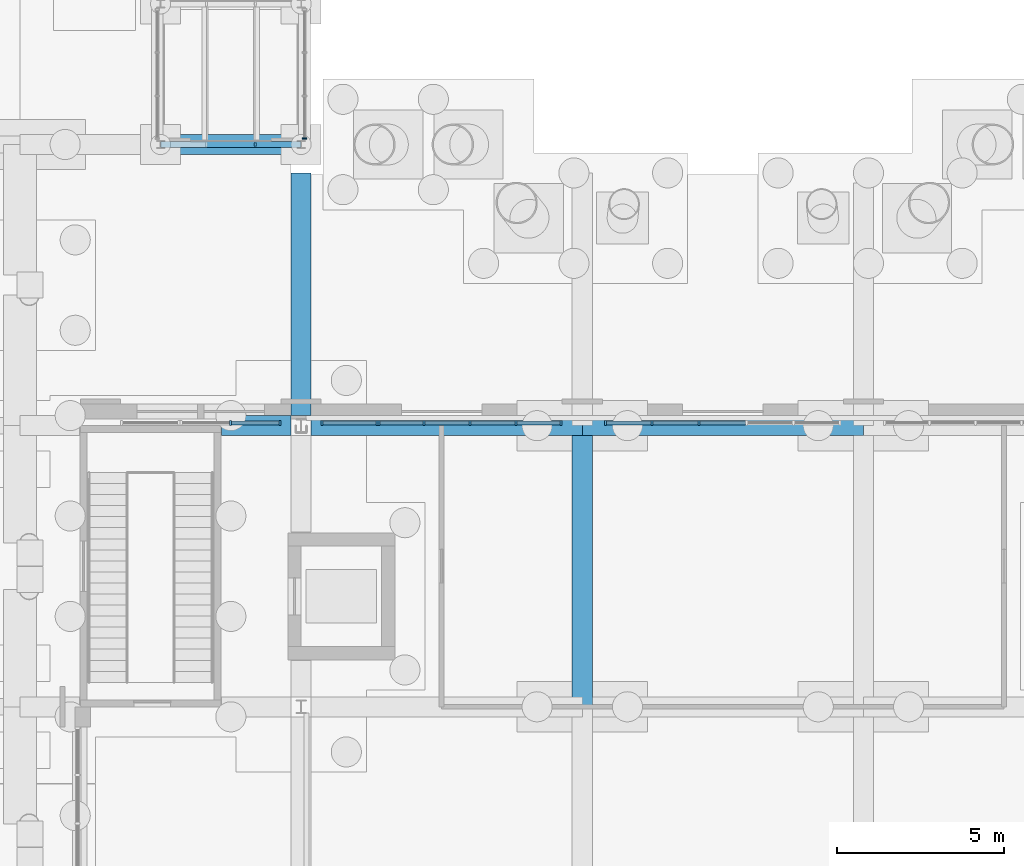
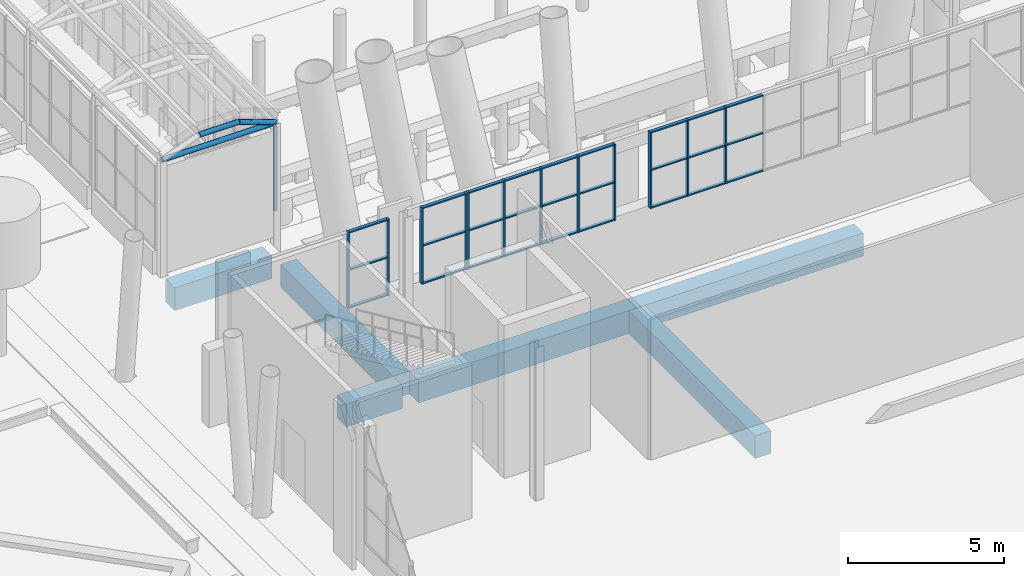
# One storey, part 54 of 222: 41 members, 8 beams, 5 elements without a shape of their own.
"""IFC4 building model written with IfcOpenShell, lengths in metres."""

from ifc_helpers import new_model, si_unit, direction, frame, origin, origin_2d, place, context, subcontext, project, spatial, rectangle, hollow_circle, extrude, material, material_profile, profile_set, type_object, element, aggregate, save


model = new_model("IFC4")

# Units and contexts
model_context = context("Model", 3, precision=1e-05, world=origin(), true_north=direction((0.0, 1.0)))
body_context = subcontext(model_context, "Body", "Model", "MODEL_VIEW")
ifc_project = project(units=[si_unit("LENGTHUNIT", "METRE"), si_unit("AREAUNIT", "SQUARE_METRE"), si_unit("VOLUMEUNIT", "CUBIC_METRE"), si_unit("PLANEANGLEUNIT", "RADIAN"), si_unit("MASSUNIT", "GRAM", prefix="KILO")], contexts=[model_context])

# Site, building, storey
site_placement = place(None, origin())
site = spatial("IfcSite", under=ifc_project, at=site_placement, CompositionType="ELEMENT")
building_placement = place(site_placement, origin())
building = spatial("IfcBuilding", under=site, at=building_placement, Name="Sava Quay Ferry Terminal", CompositionType="ELEMENT")
storey_placement = place(building_placement, origin())
storey = spatial("IfcBuildingStorey", under=building, at=storey_placement, Name="L00", CompositionType="ELEMENT", Elevation=0.0)

# Beams
ifc_material_1 = material(Name="Steel S355", Category="steel")
ifc_material_profile_1 = material_profile(ifc_material_1, hollow_circle(Radius=0.096923828125, WallThickness=0.008056640625, at=origin_2d()), Name="CHS 193.7 x 8.0")
ifc_profile_set_1 = profile_set([ifc_material_profile_1], Name="Steel S355")
beam_type_1 = type_object("IfcBeamType", Name="Gallery rib CHS 193.7x8", PredefinedType="BEAM", material=ifc_profile_set_1)
beam_1_placement = place(storey_placement, frame((47.570556640625, 109.199951171875, 4.998779296875), z_axis=(1.0, 0.0, 0.0), x_axis=(0.0, 1.0, 0.0)))
element("IfcBeam", 1, at=beam_1_placement, inside=storey, type_object=beam_type_1, Name="Boarding gallery B1 arch rib R0 seg 2", PredefinedType="BEAM", context=body_context, shape_type="SweptSolid", body=[
    extrude(hollow_circle(Radius=0.096923828125, WallThickness=0.008056640625, at=origin_2d()), origin(), (0.0, 0.0, 1.0), 1.458740234375),
])
beam_2_placement = place(storey_placement, frame((49.029296875, 109.199951171875, 4.998779296875), z_axis=(0.939710313144, 0.0, -0.341971530059), x_axis=(0.0, 1.0, 0.0)))
element("IfcBeam", 2, at=beam_2_placement, inside=storey, type_object=beam_type_1, Name="Boarding gallery B1 arch rib R0 seg 3", PredefinedType="BEAM", context=body_context, shape_type="SweptSolid", body=[
    extrude(hollow_circle(Radius=0.096923828125, WallThickness=0.008056640625, at=origin_2d()), origin(), (0.0, 0.0, 1.0), 1.45849609375),
])

# Member
ifc_material_2 = material(Name="Steel S355", Category="steel")
ifc_material_profile_2 = material_profile(ifc_material_2, hollow_circle(Radius=0.096923828125, WallThickness=0.008056640625, at=origin_2d()), Name="CHS 193.7 x 8.0")
ifc_profile_set_2 = profile_set([ifc_material_profile_2], Name="Steel S355")
member_type_1 = type_object("IfcMemberType", Name="Gallery tie CHS 193.7x8", PredefinedType="USERDEFINED", material=ifc_profile_set_2)
member_1_placement = place(storey_placement, frame((46.199951171875, 109.199951171875, 4.5), z_axis=(1.0, 0.0, 0.0), x_axis=(0.0, 1.0, 0.0)))
element("IfcMember", 3, at=member_1_placement, inside=storey, type_object=member_type_1, Name="Boarding gallery B1 arch tie R0", ObjectType="ARCH TIE", PredefinedType="USERDEFINED", context=body_context, shape_type="SweptSolid", body=[
    extrude(hollow_circle(Radius=0.096923828125, WallThickness=0.008056640625, at=origin_2d()), origin(), (0.0, 0.0, 1.0), 4.199951171875),
])

# Curtain wall, member
ifc_material_3 = material(Name="Aluminium and glass curtain wall, double glazed", Category="aluminium")
curtain_wall_type_1 = type_object("IfcCurtainWallType", Name="Curtain wall CW-B gallery", PredefinedType="NOTDEFINED", material=ifc_material_3)
curtain_wall_1_placement = place(storey_placement, origin())
curtain_wall_1 = element("IfcCurtainWall", 4, at=curtain_wall_1_placement, inside=storey, type_object=curtain_wall_type_1, Name="Curtain wall B1-E L00 bay 1", PredefinedType="NOTDEFINED")
ifc_material_4 = material(Name="Aluminium EN AW-6063 T6", Category="aluminium")
ifc_material_profile_3 = material_profile(ifc_material_4, rectangle(XDim=0.1201171875, YDim=0.050048828125, at=origin_2d()), Name="Mullion 50x120 aluminium")
ifc_profile_set_3 = profile_set([ifc_material_profile_3], Name="Aluminium EN AW-6063 T6")
member_type_2 = type_object("IfcMemberType", Name="Mullion 50x120 aluminium", PredefinedType="MULLION", material=ifc_profile_set_3)
member_2_placement = place(storey_placement, frame((50.5, 109.375, 0.89990234375), z_axis=(0.0, 0.0, 1.0), x_axis=(-1.0, 0.0, 0.0)))
member_2 = element("IfcMember", 5, at=member_2_placement, type_object=member_type_2, Name="CW1 mullion 1", PredefinedType="MULLION", context=body_context, shape_type="SweptSolid", body=[
    extrude(rectangle(XDim=0.1201171875, YDim=0.050048828125, at=origin_2d()), origin(), (0.0, 0.0, 1.0), 3.300048828125),
])
aggregate(curtain_wall_1, [member_2])

# Curtain wall, members
ifc_material_5 = material(Name="Aluminium and glass curtain wall, double low-e glazed", Category="aluminium")
curtain_wall_type_2 = type_object("IfcCurtainWallType", Name="Curtain wall CW-G gable", PredefinedType="NOTDEFINED", material=ifc_material_5)
curtain_wall_2_placement = place(storey_placement, origin())
curtain_wall_2 = element("IfcCurtainWall", 6, at=curtain_wall_2_placement, inside=storey, type_object=curtain_wall_type_2, Name="Curtain wall D-N L00 bay 11", PredefinedType="NOTDEFINED")
ifc_material_6 = material(Name="Aluminium EN AW-6063 T6", Category="aluminium")
ifc_material_profile_4 = material_profile(ifc_material_6, rectangle(XDim=0.14990234375, YDim=0.06005859375, at=origin_2d()), Name="Mullion 60x150 aluminium")
ifc_profile_set_4 = profile_set([ifc_material_profile_4], Name="Aluminium EN AW-6063 T6")
member_type_3 = type_object("IfcMemberType", Name="Mullion 60x150 aluminium", PredefinedType="MULLION", material=ifc_profile_set_4)
member_3_placement = place(storey_placement, frame((48.2900390625, 100.885009765625, 3.0), z_axis=(0.0, 0.0, 1.0), x_axis=(0.0, 1.0, 0.0)))
member_3 = element("IfcMember", 7, at=member_3_placement, type_object=member_type_3, Name="CW57 mullion 2", PredefinedType="MULLION", context=body_context, shape_type="SweptSolid", body=[
    extrude(rectangle(XDim=0.14990234375, YDim=0.06005859375, at=origin_2d()), origin(), (0.0, 0.0, 1.0), 3.0),
])
member_4_placement = place(storey_placement, frame((49.77001953125, 100.885009765625, 3.0), z_axis=(0.0, 0.0, 1.0), x_axis=(0.0, 1.0, 0.0)))
member_4 = element("IfcMember", 8, at=member_4_placement, type_object=member_type_3, Name="CW57 mullion 3", PredefinedType="MULLION", context=body_context, shape_type="SweptSolid", body=[
    extrude(rectangle(XDim=0.14990234375, YDim=0.06005859375, at=origin_2d()), origin(), (0.0, 0.0, 1.0), 3.0),
])

curtain_wall_3_placement = place(storey_placement, origin())
curtain_wall_3 = element("IfcCurtainWall", 9, at=curtain_wall_3_placement, inside=storey, type_object=curtain_wall_type_2, Name="Curtain wall D-N L00 bay 12", PredefinedType="NOTDEFINED")
member_5_placement = place(storey_placement, frame((51.030029296875, 100.885009765625, 3.0), z_axis=(0.0, 0.0, 1.0), x_axis=(0.0, 1.0, 0.0)))
member_5 = element("IfcMember", 10, at=member_5_placement, type_object=member_type_3, Name="CW61 mullion 1", PredefinedType="MULLION", context=body_context, shape_type="SweptSolid", body=[
    extrude(rectangle(XDim=0.14990234375, YDim=0.06005859375, at=origin_2d()), origin(), (0.0, 0.0, 1.0), 3.0),
])
member_6_placement = place(storey_placement, frame((52.669921875, 100.885009765625, 3.0), z_axis=(0.0, 0.0, 1.0), x_axis=(0.0, 1.0, 0.0)))
member_6 = element("IfcMember", 11, at=member_6_placement, type_object=member_type_3, Name="CW61 mullion 2", PredefinedType="MULLION", context=body_context, shape_type="SweptSolid", body=[
    extrude(rectangle(XDim=0.14990234375, YDim=0.06005859375, at=origin_2d()), origin(), (0.0, 0.0, 1.0), 3.0),
])

curtain_wall_4_placement = place(storey_placement, origin())
curtain_wall_4 = element("IfcCurtainWall", 12, at=curtain_wall_4_placement, inside=storey, type_object=curtain_wall_type_2, Name="Curtain wall D-N L00 bay 21", PredefinedType="NOTDEFINED")
member_7_placement = place(storey_placement, frame((52.72998046875, 100.885009765625, 3.0), z_axis=(0.0, 0.0, 1.0), x_axis=(0.0, 1.0, 0.0)))
member_7 = element("IfcMember", 13, at=member_7_placement, type_object=member_type_3, Name="CW65 mullion 1", PredefinedType="MULLION", context=body_context, shape_type="SweptSolid", body=[
    extrude(rectangle(XDim=0.14990234375, YDim=0.06005859375, at=origin_2d()), origin(), (0.0, 0.0, 1.0), 3.0),
])
member_8_placement = place(storey_placement, frame((54.074951171875, 100.885009765625, 3.0), z_axis=(0.0, 0.0, 1.0), x_axis=(0.0, 1.0, 0.0)))
member_8 = element("IfcMember", 14, at=member_8_placement, type_object=member_type_3, Name="CW65 mullion 2", PredefinedType="MULLION", context=body_context, shape_type="SweptSolid", body=[
    extrude(rectangle(XDim=0.14990234375, YDim=0.06005859375, at=origin_2d()), origin(), (0.0, 0.0, 1.0), 3.0),
])
member_9_placement = place(storey_placement, frame((55.449951171875, 100.885009765625, 3.0), z_axis=(0.0, 0.0, 1.0), x_axis=(0.0, 1.0, 0.0)))
member_9 = element("IfcMember", 15, at=member_9_placement, type_object=member_type_3, Name="CW65 mullion 3", PredefinedType="MULLION", context=body_context, shape_type="SweptSolid", body=[
    extrude(rectangle(XDim=0.14990234375, YDim=0.06005859375, at=origin_2d()), origin(), (0.0, 0.0, 1.0), 3.0),
])
member_10_placement = place(storey_placement, frame((56.824951171875, 100.885009765625, 3.0), z_axis=(0.0, 0.0, 1.0), x_axis=(0.0, 1.0, 0.0)))
member_10 = element("IfcMember", 16, at=member_10_placement, type_object=member_type_3, Name="CW65 mullion 4", PredefinedType="MULLION", context=body_context, shape_type="SweptSolid", body=[
    extrude(rectangle(XDim=0.14990234375, YDim=0.06005859375, at=origin_2d()), origin(), (0.0, 0.0, 1.0), 3.0),
])
member_11_placement = place(storey_placement, frame((58.169921875, 100.885009765625, 3.0), z_axis=(0.0, 0.0, 1.0), x_axis=(0.0, 1.0, 0.0)))
member_11 = element("IfcMember", 17, at=member_11_placement, type_object=member_type_3, Name="CW65 mullion 5", PredefinedType="MULLION", context=body_context, shape_type="SweptSolid", body=[
    extrude(rectangle(XDim=0.14990234375, YDim=0.06005859375, at=origin_2d()), origin(), (0.0, 0.0, 1.0), 3.0),
])

curtain_wall_5_placement = place(storey_placement, origin())
curtain_wall_5 = element("IfcCurtainWall", 18, at=curtain_wall_5_placement, inside=storey, type_object=curtain_wall_type_2, Name="Curtain wall D-N L00 bay 31", PredefinedType="NOTDEFINED")
member_12_placement = place(storey_placement, frame((59.5, 100.885009765625, 3.0), z_axis=(0.0, 0.0, 1.0), x_axis=(0.0, 1.0, 0.0)))
member_12 = element("IfcMember", 19, at=member_12_placement, type_object=member_type_3, Name="CW69 mullion 1", PredefinedType="MULLION", context=body_context, shape_type="SweptSolid", body=[
    extrude(rectangle(XDim=0.14990234375, YDim=0.06005859375, at=origin_2d()), origin(), (0.0, 0.0, 1.0), 3.0),
])
member_13_placement = place(storey_placement, frame((60.882080078125, 100.885009765625, 3.0), z_axis=(0.0, 0.0, 1.0), x_axis=(0.0, 1.0, 0.0)))
member_13 = element("IfcMember", 20, at=member_13_placement, type_object=member_type_3, Name="CW69 mullion 2", PredefinedType="MULLION", context=body_context, shape_type="SweptSolid", body=[
    extrude(rectangle(XDim=0.14990234375, YDim=0.06005859375, at=origin_2d()), origin(), (0.0, 0.0, 1.0), 3.0),
])
member_14_placement = place(storey_placement, frame((62.2939453125, 100.885009765625, 3.0), z_axis=(0.0, 0.0, 1.0), x_axis=(0.0, 1.0, 0.0)))
member_14 = element("IfcMember", 21, at=member_14_placement, type_object=member_type_3, Name="CW69 mullion 3", PredefinedType="MULLION", context=body_context, shape_type="SweptSolid", body=[
    extrude(rectangle(XDim=0.14990234375, YDim=0.06005859375, at=origin_2d()), origin(), (0.0, 0.0, 1.0), 3.0),
])

# Beams
ifc_material_7 = material(Name="Concrete C40/50", Category="concrete")
ifc_material_profile_5 = material_profile(ifc_material_7, rectangle(XDim=0.60009765625, YDim=0.89990234375, at=origin_2d()), Name="RC 600x900")
ifc_profile_set_5 = profile_set([ifc_material_profile_5], Name="Concrete C40/50")
beam_type_2 = type_object("IfcBeamType", Name="RC deck beam 600x900", PredefinedType="BEAM", material=ifc_profile_set_5)
beam_3_placement = place(storey_placement, frame((48.02001953125, 100.800048828125, -0.89990234375), z_axis=(1.0, 0.0, 0.0), x_axis=(0.0, 1.0, 0.0)))
element("IfcBeam", 22, at=beam_3_placement, inside=storey, type_object=beam_type_2, Name="Deck beam X100.8-42", PredefinedType="BEAM", context=body_context, shape_type="SweptSolid", body=[
    extrude(rectangle(XDim=0.60009765625, YDim=0.89990234375, at=origin_2d()), origin(), (0.0, 0.0, 1.0), 2.080078125),
])
beam_4_placement = place(storey_placement, frame((50.699951171875, 100.800048828125, -0.89990234375), z_axis=(1.0, 0.0, 0.0), x_axis=(0.0, 1.0, 0.0)))
element("IfcBeam", 23, at=beam_4_placement, inside=storey, type_object=beam_type_2, Name="Deck beam X100.8-50.4", PredefinedType="BEAM", context=body_context, shape_type="SweptSolid", body=[
    extrude(rectangle(XDim=0.60009765625, YDim=0.89990234375, at=origin_2d()), origin(), (0.0, 0.0, 1.0), 8.10009765625),
])
beam_5_placement = place(storey_placement, frame((58.800048828125, 100.800048828125, -0.89990234375), z_axis=(1.0, 0.0, 0.0), x_axis=(0.0, 1.0, 0.0)))
element("IfcBeam", 24, at=beam_5_placement, inside=storey, type_object=beam_type_2, Name="Deck beam X100.8-58.8", PredefinedType="BEAM", context=body_context, shape_type="SweptSolid", body=[
    extrude(rectangle(XDim=0.60009765625, YDim=0.89990234375, at=origin_2d()), origin(), (0.0, 0.0, 1.0), 8.39990234375),
])
beam_6_placement = place(storey_placement, frame((46.5, 109.199951171875, -0.89990234375), z_axis=(1.0, 0.0, 0.0), x_axis=(0.0, 1.0, 0.0)))
element("IfcBeam", 25, at=beam_6_placement, inside=storey, type_object=beam_type_2, Name="Deck beam X109.2-42", PredefinedType="BEAM", context=body_context, shape_type="SweptSolid", body=[
    extrude(rectangle(XDim=0.60009765625, YDim=0.89990234375, at=origin_2d()), origin(), (0.0, 0.0, 1.0), 3.60009765625),
])
beam_7_placement = place(storey_placement, frame((50.39990234375, 101.10009765625, -0.89990234375), z_axis=(0.0, 1.0, 0.0), x_axis=(-1.0, 0.0, 0.0)))
element("IfcBeam", 26, at=beam_7_placement, inside=storey, type_object=beam_type_2, Name="Deck beam Y50.4-100.8", PredefinedType="BEAM", context=body_context, shape_type="SweptSolid", body=[
    extrude(rectangle(XDim=0.60009765625, YDim=0.89990234375, at=origin_2d()), origin(), (0.0, 0.0, 1.0), 7.25),
])
beam_8_placement = place(storey_placement, frame((58.800048828125, 92.39990234375, -0.89990234375), z_axis=(0.0, 1.0, 0.0), x_axis=(-1.0, 0.0, 0.0)))
element("IfcBeam", 27, at=beam_8_placement, inside=storey, type_object=beam_type_2, Name="Deck beam Y58.8-92.4", PredefinedType="BEAM", context=body_context, shape_type="SweptSolid", body=[
    extrude(rectangle(XDim=0.60009765625, YDim=0.89990234375, at=origin_2d()), origin(), (0.0, 0.0, 1.0), 8.400146484375),
])

# Member
ifc_material_8 = material(Name="Aluminium EN AW-6063 T6", Category="aluminium")
ifc_material_profile_6 = material_profile(ifc_material_8, rectangle(XDim=0.1201171875, YDim=0.050048828125, at=origin_2d()), Name="Transom 50x120 aluminium")
ifc_profile_set_6 = profile_set([ifc_material_profile_6], Name="Aluminium EN AW-6063 T6")
member_type_4 = type_object("IfcMemberType", Name="Transom 50x120 aluminium", PredefinedType="USERDEFINED", material=ifc_profile_set_6)
member_15_placement = place(storey_placement, frame((48.320068359375, 100.885009765625, 3.02490234375), z_axis=(1.0, 0.0, 0.0), x_axis=(0.0, 1.0, 0.0)))
member_15 = element("IfcMember", 28, at=member_15_placement, type_object=member_type_4, Name="CW57 transom 2.1", ObjectType="TRANSOM", PredefinedType="USERDEFINED", context=body_context, shape_type="SweptSolid", body=[
    extrude(rectangle(XDim=0.1201171875, YDim=0.050048828125, at=origin_2d()), origin(), (0.0, 0.0, 1.0), 1.419921875),
])

member_16_placement = place(storey_placement, frame((48.320068359375, 100.885009765625, 4.5), z_axis=(1.0, 0.0, 0.0), x_axis=(0.0, 1.0, 0.0)))
member_16 = element("IfcMember", 29, at=member_16_placement, type_object=member_type_4, Name="CW57 transom 2.2", ObjectType="TRANSOM", PredefinedType="USERDEFINED", context=body_context, shape_type="SweptSolid", body=[
    extrude(rectangle(XDim=0.1201171875, YDim=0.050048828125, at=origin_2d()), origin(), (0.0, 0.0, 1.0), 1.419921875),
])

member_17_placement = place(storey_placement, frame((48.320068359375, 100.885009765625, 5.97509765625), z_axis=(1.0, 0.0, 0.0), x_axis=(0.0, 1.0, 0.0)))
member_17 = element("IfcMember", 30, at=member_17_placement, type_object=member_type_4, Name="CW57 transom 2.3", ObjectType="TRANSOM", PredefinedType="USERDEFINED", context=body_context, shape_type="SweptSolid", body=[
    extrude(rectangle(XDim=0.1201171875, YDim=0.050048828125, at=origin_2d()), origin(), (0.0, 0.0, 1.0), 1.419921875),
])

aggregate(curtain_wall_2, [member_3, member_4, member_15, member_16, member_17])

member_18_placement = place(storey_placement, frame((51.06005859375, 100.885009765625, 3.02490234375), z_axis=(1.0, 0.0, 0.0), x_axis=(0.0, 1.0, 0.0)))
member_18 = element("IfcMember", 31, at=member_18_placement, type_object=member_type_4, Name="CW61 transom 1.1", ObjectType="TRANSOM", PredefinedType="USERDEFINED", context=body_context, shape_type="SweptSolid", body=[
    extrude(rectangle(XDim=0.1201171875, YDim=0.050048828125, at=origin_2d()), origin(), (0.0, 0.0, 1.0), 1.579833984375),
])

member_19_placement = place(storey_placement, frame((51.06005859375, 100.885009765625, 4.5), z_axis=(1.0, 0.0, 0.0), x_axis=(0.0, 1.0, 0.0)))
member_19 = element("IfcMember", 32, at=member_19_placement, type_object=member_type_4, Name="CW61 transom 1.2", ObjectType="TRANSOM", PredefinedType="USERDEFINED", context=body_context, shape_type="SweptSolid", body=[
    extrude(rectangle(XDim=0.1201171875, YDim=0.050048828125, at=origin_2d()), origin(), (0.0, 0.0, 1.0), 1.579833984375),
])

member_20_placement = place(storey_placement, frame((51.06005859375, 100.885009765625, 5.97509765625), z_axis=(1.0, 0.0, 0.0), x_axis=(0.0, 1.0, 0.0)))
member_20 = element("IfcMember", 33, at=member_20_placement, type_object=member_type_4, Name="CW61 transom 1.3", ObjectType="TRANSOM", PredefinedType="USERDEFINED", context=body_context, shape_type="SweptSolid", body=[
    extrude(rectangle(XDim=0.1201171875, YDim=0.050048828125, at=origin_2d()), origin(), (0.0, 0.0, 1.0), 1.579833984375),
])

aggregate(curtain_wall_3, [member_5, member_6, member_18, member_19, member_20])

member_21_placement = place(storey_placement, frame((52.760009765625, 100.885009765625, 3.02490234375), z_axis=(1.0, 0.0, 0.0), x_axis=(0.0, 1.0, 0.0)))
member_21 = element("IfcMember", 34, at=member_21_placement, type_object=member_type_4, Name="CW65 transom 1.1", ObjectType="TRANSOM", PredefinedType="USERDEFINED", context=body_context, shape_type="SweptSolid", body=[
    extrude(rectangle(XDim=0.1201171875, YDim=0.050048828125, at=origin_2d()), origin(), (0.0, 0.0, 1.0), 1.284912109375),
])

member_22_placement = place(storey_placement, frame((52.760009765625, 100.885009765625, 4.5), z_axis=(1.0, 0.0, 0.0), x_axis=(0.0, 1.0, 0.0)))
member_22 = element("IfcMember", 35, at=member_22_placement, type_object=member_type_4, Name="CW65 transom 1.2", ObjectType="TRANSOM", PredefinedType="USERDEFINED", context=body_context, shape_type="SweptSolid", body=[
    extrude(rectangle(XDim=0.1201171875, YDim=0.050048828125, at=origin_2d()), origin(), (0.0, 0.0, 1.0), 1.284912109375),
])

member_23_placement = place(storey_placement, frame((52.760009765625, 100.885009765625, 5.97509765625), z_axis=(1.0, 0.0, 0.0), x_axis=(0.0, 1.0, 0.0)))
member_23 = element("IfcMember", 36, at=member_23_placement, type_object=member_type_4, Name="CW65 transom 1.3", ObjectType="TRANSOM", PredefinedType="USERDEFINED", context=body_context, shape_type="SweptSolid", body=[
    extrude(rectangle(XDim=0.1201171875, YDim=0.050048828125, at=origin_2d()), origin(), (0.0, 0.0, 1.0), 1.284912109375),
])

member_24_placement = place(storey_placement, frame((54.10498046875, 100.885009765625, 3.02490234375), z_axis=(1.0, 0.0, 0.0), x_axis=(0.0, 1.0, 0.0)))
member_24 = element("IfcMember", 37, at=member_24_placement, type_object=member_type_4, Name="CW65 transom 2.1", ObjectType="TRANSOM", PredefinedType="USERDEFINED", context=body_context, shape_type="SweptSolid", body=[
    extrude(rectangle(XDim=0.1201171875, YDim=0.050048828125, at=origin_2d()), origin(), (0.0, 0.0, 1.0), 1.31494140625),
])

member_25_placement = place(storey_placement, frame((54.10498046875, 100.885009765625, 4.5), z_axis=(1.0, 0.0, 0.0), x_axis=(0.0, 1.0, 0.0)))
member_25 = element("IfcMember", 38, at=member_25_placement, type_object=member_type_4, Name="CW65 transom 2.2", ObjectType="TRANSOM", PredefinedType="USERDEFINED", context=body_context, shape_type="SweptSolid", body=[
    extrude(rectangle(XDim=0.1201171875, YDim=0.050048828125, at=origin_2d()), origin(), (0.0, 0.0, 1.0), 1.31494140625),
])

member_26_placement = place(storey_placement, frame((54.10498046875, 100.885009765625, 5.97509765625), z_axis=(1.0, 0.0, 0.0), x_axis=(0.0, 1.0, 0.0)))
member_26 = element("IfcMember", 39, at=member_26_placement, type_object=member_type_4, Name="CW65 transom 2.3", ObjectType="TRANSOM", PredefinedType="USERDEFINED", context=body_context, shape_type="SweptSolid", body=[
    extrude(rectangle(XDim=0.1201171875, YDim=0.050048828125, at=origin_2d()), origin(), (0.0, 0.0, 1.0), 1.31494140625),
])

member_27_placement = place(storey_placement, frame((55.47998046875, 100.885009765625, 3.02490234375), z_axis=(1.0, 0.0, 0.0), x_axis=(0.0, 1.0, 0.0)))
member_27 = element("IfcMember", 40, at=member_27_placement, type_object=member_type_4, Name="CW65 transom 3.1", ObjectType="TRANSOM", PredefinedType="USERDEFINED", context=body_context, shape_type="SweptSolid", body=[
    extrude(rectangle(XDim=0.1201171875, YDim=0.050048828125, at=origin_2d()), origin(), (0.0, 0.0, 1.0), 1.31494140625),
])

member_28_placement = place(storey_placement, frame((55.47998046875, 100.885009765625, 4.5), z_axis=(1.0, 0.0, 0.0), x_axis=(0.0, 1.0, 0.0)))
member_28 = element("IfcMember", 41, at=member_28_placement, type_object=member_type_4, Name="CW65 transom 3.2", ObjectType="TRANSOM", PredefinedType="USERDEFINED", context=body_context, shape_type="SweptSolid", body=[
    extrude(rectangle(XDim=0.1201171875, YDim=0.050048828125, at=origin_2d()), origin(), (0.0, 0.0, 1.0), 1.31494140625),
])

member_29_placement = place(storey_placement, frame((55.47998046875, 100.885009765625, 5.97509765625), z_axis=(1.0, 0.0, 0.0), x_axis=(0.0, 1.0, 0.0)))
member_29 = element("IfcMember", 42, at=member_29_placement, type_object=member_type_4, Name="CW65 transom 3.3", ObjectType="TRANSOM", PredefinedType="USERDEFINED", context=body_context, shape_type="SweptSolid", body=[
    extrude(rectangle(XDim=0.1201171875, YDim=0.050048828125, at=origin_2d()), origin(), (0.0, 0.0, 1.0), 1.31494140625),
])

member_30_placement = place(storey_placement, frame((56.85498046875, 100.885009765625, 3.02490234375), z_axis=(1.0, 0.0, 0.0), x_axis=(0.0, 1.0, 0.0)))
member_30 = element("IfcMember", 43, at=member_30_placement, type_object=member_type_4, Name="CW65 transom 4.1", ObjectType="TRANSOM", PredefinedType="USERDEFINED", context=body_context, shape_type="SweptSolid", body=[
    extrude(rectangle(XDim=0.1201171875, YDim=0.050048828125, at=origin_2d()), origin(), (0.0, 0.0, 1.0), 1.284912109375),
])

member_31_placement = place(storey_placement, frame((56.85498046875, 100.885009765625, 4.5), z_axis=(1.0, 0.0, 0.0), x_axis=(0.0, 1.0, 0.0)))
member_31 = element("IfcMember", 44, at=member_31_placement, type_object=member_type_4, Name="CW65 transom 4.2", ObjectType="TRANSOM", PredefinedType="USERDEFINED", context=body_context, shape_type="SweptSolid", body=[
    extrude(rectangle(XDim=0.1201171875, YDim=0.050048828125, at=origin_2d()), origin(), (0.0, 0.0, 1.0), 1.284912109375),
])

member_32_placement = place(storey_placement, frame((56.85498046875, 100.885009765625, 5.97509765625), z_axis=(1.0, 0.0, 0.0), x_axis=(0.0, 1.0, 0.0)))
member_32 = element("IfcMember", 45, at=member_32_placement, type_object=member_type_4, Name="CW65 transom 4.3", ObjectType="TRANSOM", PredefinedType="USERDEFINED", context=body_context, shape_type="SweptSolid", body=[
    extrude(rectangle(XDim=0.1201171875, YDim=0.050048828125, at=origin_2d()), origin(), (0.0, 0.0, 1.0), 1.284912109375),
])

aggregate(curtain_wall_4, [member_7, member_8, member_9, member_10, member_11, member_21, member_22, member_23, member_24, member_25, member_26, member_27, member_28, member_29, member_30, member_31, member_32])

member_33_placement = place(storey_placement, frame((59.530029296875, 100.885009765625, 3.02490234375), z_axis=(1.0, 0.0, 0.0), x_axis=(0.0, 1.0, 0.0)))
member_33 = element("IfcMember", 46, at=member_33_placement, type_object=member_type_4, Name="CW69 transom 1.1", ObjectType="TRANSOM", PredefinedType="USERDEFINED", context=body_context, shape_type="SweptSolid", body=[
    extrude(rectangle(XDim=0.1201171875, YDim=0.050048828125, at=origin_2d()), origin(), (0.0, 0.0, 1.0), 1.322021484375),
])

member_34_placement = place(storey_placement, frame((59.530029296875, 100.885009765625, 4.5), z_axis=(1.0, 0.0, 0.0), x_axis=(0.0, 1.0, 0.0)))
member_34 = element("IfcMember", 47, at=member_34_placement, type_object=member_type_4, Name="CW69 transom 1.2", ObjectType="TRANSOM", PredefinedType="USERDEFINED", context=body_context, shape_type="SweptSolid", body=[
    extrude(rectangle(XDim=0.1201171875, YDim=0.050048828125, at=origin_2d()), origin(), (0.0, 0.0, 1.0), 1.322021484375),
])

member_35_placement = place(storey_placement, frame((59.530029296875, 100.885009765625, 5.97509765625), z_axis=(1.0, 0.0, 0.0), x_axis=(0.0, 1.0, 0.0)))
member_35 = element("IfcMember", 48, at=member_35_placement, type_object=member_type_4, Name="CW69 transom 1.3", ObjectType="TRANSOM", PredefinedType="USERDEFINED", context=body_context, shape_type="SweptSolid", body=[
    extrude(rectangle(XDim=0.1201171875, YDim=0.050048828125, at=origin_2d()), origin(), (0.0, 0.0, 1.0), 1.322021484375),
])

member_36_placement = place(storey_placement, frame((60.912109375, 100.885009765625, 3.02490234375), z_axis=(1.0, 0.0, 0.0), x_axis=(0.0, 1.0, 0.0)))
member_36 = element("IfcMember", 49, at=member_36_placement, type_object=member_type_4, Name="CW69 transom 2.1", ObjectType="TRANSOM", PredefinedType="USERDEFINED", context=body_context, shape_type="SweptSolid", body=[
    extrude(rectangle(XDim=0.1201171875, YDim=0.050048828125, at=origin_2d()), origin(), (0.0, 0.0, 1.0), 1.351806640625),
])

member_37_placement = place(storey_placement, frame((60.912109375, 100.885009765625, 4.5), z_axis=(1.0, 0.0, 0.0), x_axis=(0.0, 1.0, 0.0)))
member_37 = element("IfcMember", 50, at=member_37_placement, type_object=member_type_4, Name="CW69 transom 2.2", ObjectType="TRANSOM", PredefinedType="USERDEFINED", context=body_context, shape_type="SweptSolid", body=[
    extrude(rectangle(XDim=0.1201171875, YDim=0.050048828125, at=origin_2d()), origin(), (0.0, 0.0, 1.0), 1.351806640625),
])

member_38_placement = place(storey_placement, frame((60.912109375, 100.885009765625, 5.97509765625), z_axis=(1.0, 0.0, 0.0), x_axis=(0.0, 1.0, 0.0)))
member_38 = element("IfcMember", 51, at=member_38_placement, type_object=member_type_4, Name="CW69 transom 2.3", ObjectType="TRANSOM", PredefinedType="USERDEFINED", context=body_context, shape_type="SweptSolid", body=[
    extrude(rectangle(XDim=0.1201171875, YDim=0.050048828125, at=origin_2d()), origin(), (0.0, 0.0, 1.0), 1.351806640625),
])

member_39_placement = place(storey_placement, frame((62.323974609375, 100.885009765625, 3.02490234375), z_axis=(1.0, 0.0, 0.0), x_axis=(0.0, 1.0, 0.0)))
member_39 = element("IfcMember", 52, at=member_39_placement, type_object=member_type_4, Name="CW69 transom 3.1", ObjectType="TRANSOM", PredefinedType="USERDEFINED", context=body_context, shape_type="SweptSolid", body=[
    extrude(rectangle(XDim=0.1201171875, YDim=0.050048828125, at=origin_2d()), origin(), (0.0, 0.0, 1.0), 1.35205078125),
])

member_40_placement = place(storey_placement, frame((62.323974609375, 100.885009765625, 4.5), z_axis=(1.0, 0.0, 0.0), x_axis=(0.0, 1.0, 0.0)))
member_40 = element("IfcMember", 53, at=member_40_placement, type_object=member_type_4, Name="CW69 transom 3.2", ObjectType="TRANSOM", PredefinedType="USERDEFINED", context=body_context, shape_type="SweptSolid", body=[
    extrude(rectangle(XDim=0.1201171875, YDim=0.050048828125, at=origin_2d()), origin(), (0.0, 0.0, 1.0), 1.35205078125),
])

member_41_placement = place(storey_placement, frame((62.323974609375, 100.885009765625, 5.97509765625), z_axis=(1.0, 0.0, 0.0), x_axis=(0.0, 1.0, 0.0)))
member_41 = element("IfcMember", 54, at=member_41_placement, type_object=member_type_4, Name="CW69 transom 3.3", ObjectType="TRANSOM", PredefinedType="USERDEFINED", context=body_context, shape_type="SweptSolid", body=[
    extrude(rectangle(XDim=0.1201171875, YDim=0.050048828125, at=origin_2d()), origin(), (0.0, 0.0, 1.0), 1.35205078125),
])

aggregate(curtain_wall_5, [member_12, member_13, member_14, member_33, member_34, member_35, member_36, member_37, member_38, member_39, member_40, member_41])

save(model, "model.ifc")
